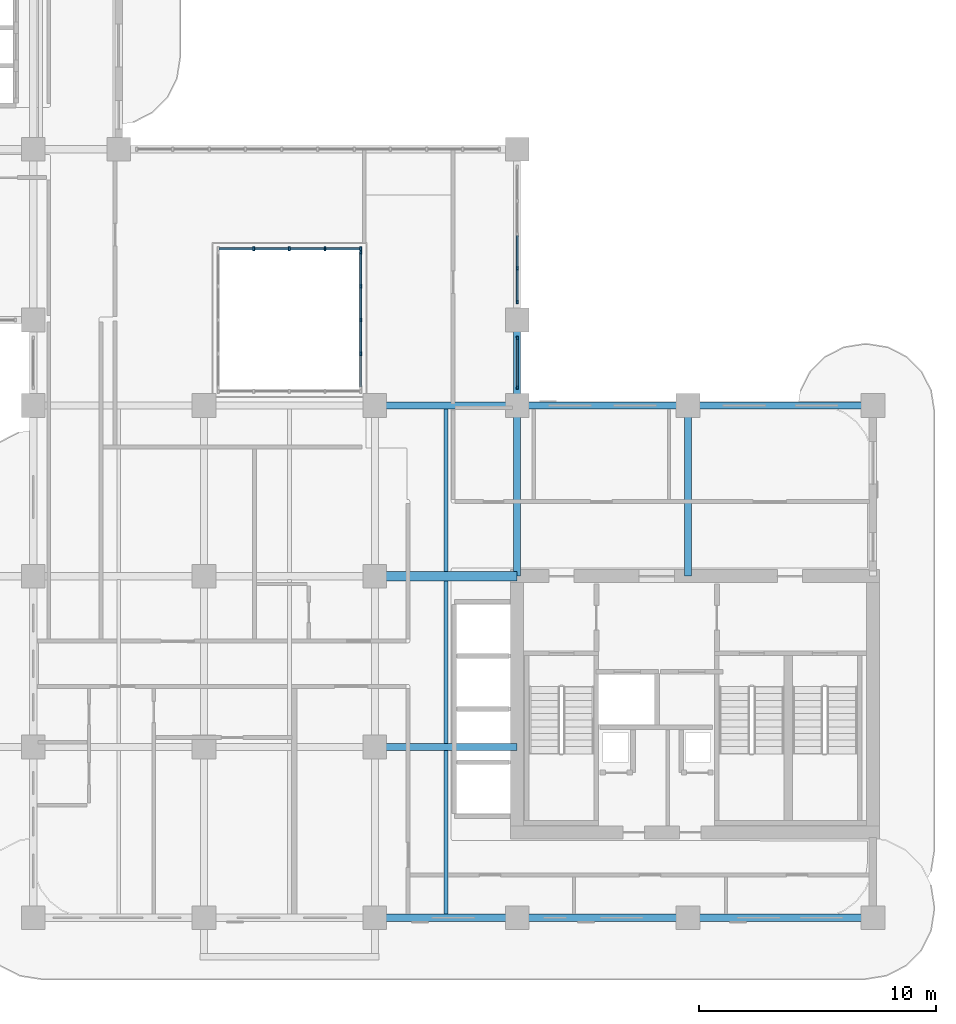
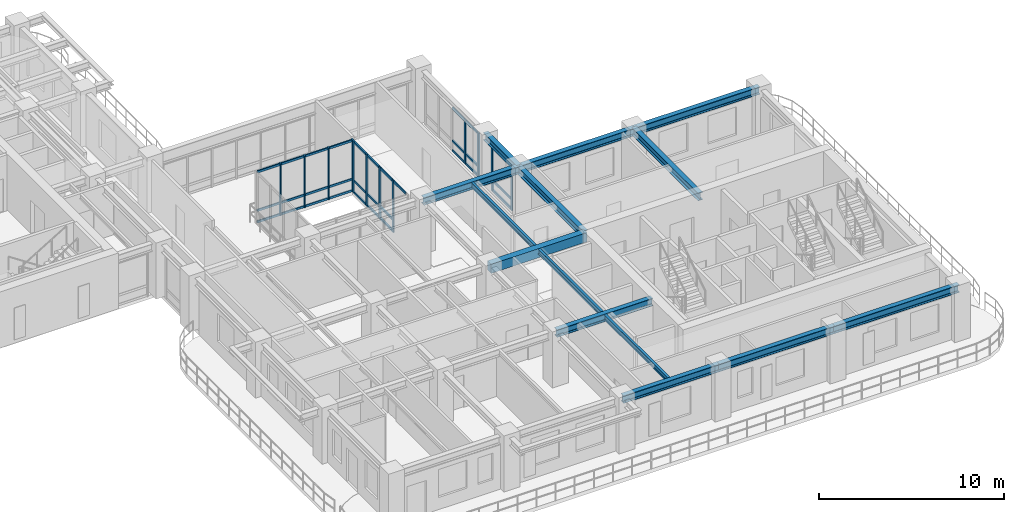
# One storey, part 3 of 20: 43 members, 14 beams, 4 elements without a shape of their own.
"""IFC4 building model written with IfcOpenShell, lengths in metres."""

from ifc_helpers import new_model, si_unit, derived_unit, direction, frame, origin, origin_2d, place, context, subcontext, project, spatial, rectangle, i_section, extrude, source, transform, mapped, material, layer, layer_set, material_profile, profile_set, type_object, type_shapes, element, aggregate, save


model = new_model("IFC4")

# Units and contexts
model_context = context("Model", 3, precision=1e-05, world=origin(), true_north=direction((0.0, 1.0)))
body_context = subcontext(model_context, "Body", "Model", "MODEL_VIEW")
ifc_project = project(units=[si_unit("LENGTHUNIT", "METRE"), si_unit("AREAUNIT", "SQUARE_METRE"), si_unit("VOLUMEUNIT", "CUBIC_METRE"), si_unit("PLANEANGLEUNIT", "RADIAN"), si_unit("MASSUNIT", "GRAM", prefix="KILO"), si_unit("THERMODYNAMICTEMPERATUREUNIT", "KELVIN"), si_unit("POWERUNIT", "WATT"), derived_unit("THERMALTRANSMITTANCEUNIT", [(si_unit("POWERUNIT", "WATT"), 1), (si_unit("AREAUNIT", "SQUARE_METRE"), -1), (si_unit("THERMODYNAMICTEMPERATUREUNIT", "KELVIN"), -1)])], contexts=[model_context])

# Site, building, storey
site_placement = place(None, origin())
site = spatial("IfcSite", under=ifc_project, at=site_placement, CompositionType="ELEMENT")
building_placement = place(site_placement, origin())
building = spatial("IfcBuilding", under=site, at=building_placement, Name="Zahravan Archway Hotel and Residences", CompositionType="ELEMENT")
storey_placement = place(building_placement, frame((0.0, 0.0, 115.5)))
storey = spatial("IfcBuildingStorey", under=building, at=storey_placement, Name="L28", CompositionType="ELEMENT", Elevation=115.5)

# Beams
ifc_material_1 = material(Name="Concrete C60/75", Category="concrete")
ifc_material_profile_1 = material_profile(ifc_material_1, rectangle(XDim=0.39990234375, YDim=0.60009765625, at=origin_2d()), Name="RC-LNT-400x600", Category="concrete")
ifc_profile_set_1 = profile_set([ifc_material_profile_1], Name="Concrete C60/75")
beam_type_1 = type_object("IfcBeamType", Name="LNT-RC-400x600", PredefinedType="LINTEL", material=ifc_profile_set_1)
shared_shape_1 = source(origin(), body_context, "Body", "SweptSolid", [
    extrude(rectangle(XDim=0.39990234375, YDim=0.60009765625, at=origin_2d()), origin(), (0.0, 0.0, 1.0), 6.0),
])
type_shapes(beam_type_1, [shared_shape_1])
beam_1_placement = place(storey_placement, frame((28.800048828125, 14.39990234375, 3.14990234375), z_axis=(1.0, 0.0, 0.0), x_axis=(0.0, 1.0, 0.0)))
element("IfcBeam", 1, at=beam_1_placement, inside=storey, type_object=beam_type_1, Name="L28 Core A Coupling Lintel Beam", PredefinedType="LINTEL", context=body_context, shape_type="MappedRepresentation", body=[
    mapped(shared_shape_1, transform((0.0, 0.0, 0.0), scale=1.0)),
])
ifc_material_2 = material(Name="Structural Steel S355JR", Category="steel")
ifc_material_profile_2 = material_profile(ifc_material_2, i_section(OverallWidth=0.300048828125, OverallDepth=0.5, WebThickness=0.014404296875, FlangeThickness=0.028076171875, FilletRadius=0.027099609375, at=origin_2d()), Name="HEB 500", Category="steel")
ifc_profile_set_2 = profile_set([ifc_material_profile_2], Name="Structural Steel S355JR")
beam_type_2 = type_object("IfcBeamType", Name="BM-PRI-HEB500", PredefinedType="BEAM", material=ifc_profile_set_2)
shared_shape_2 = source(origin(), body_context, "Body", "SweptSolid", [
    extrude(i_section(OverallWidth=0.300048828125, OverallDepth=0.5, WebThickness=0.014404296875, FlangeThickness=0.028076171875, FilletRadius=0.027099609375, at=origin_2d()), origin(), (0.0, 0.0, 1.0), 7.2001953125),
])
type_shapes(beam_type_2, [shared_shape_2])
for number, where, z_axis, x_axis, name in (
    (2, (34.800048828125, 14.39990234375, 3.199951171875), (0.0, 1.0, 0.0), (-1.0, 0.0, 0.0), "L28 Primary Girder NS-41"),
    (3, (42.0, 14.39990234375, 3.199951171875), (0.0, 1.0, 0.0), (-1.0, 0.0, 0.0), "L28 Primary Girder NS-44"),
):
    element("IfcBeam", number, at=place(storey_placement, frame(where, z_axis=z_axis, x_axis=x_axis)), inside=storey, type_object=beam_type_2, Name=name, PredefinedType="BEAM", context=body_context, shape_type="MappedRepresentation", body=[
        mapped(shared_shape_2, transform((0.0, 0.0, 0.0), scale=1.0)),
    ])
shared_shape_3 = source(origin(), body_context, "Body", "SweptSolid", [
    extrude(i_section(OverallWidth=0.300048828125, OverallDepth=0.5, WebThickness=0.014404296875, FlangeThickness=0.028076171875, FilletRadius=0.027099609375, at=origin_2d()), origin(), (0.0, 0.0, 1.0), 7.199951171875),
])
for number, where, z_axis, x_axis, name in (
    (4, (34.800048828125, 0.0, 3.199951171875), (1.0, 0.0, 0.0), (0.0, 1.0, 0.0), "L28 Primary Girder EW-04"),
    (5, (34.800048828125, 21.60009765625, 3.199951171875), (1.0, 0.0, 0.0), (0.0, 1.0, 0.0), "L28 Primary Girder EW-14"),
):
    element("IfcBeam", number, at=place(storey_placement, frame(where, z_axis=z_axis, x_axis=x_axis)), inside=storey, type_object=beam_type_2, Name=name, PredefinedType="BEAM", context=body_context, shape_type="MappedRepresentation", body=[
        mapped(shared_shape_3, transform((0.0, 0.0, 0.0), scale=1.0)),
    ])
shared_shape_4 = source(origin(), body_context, "Body", "SweptSolid", [
    extrude(i_section(OverallWidth=0.300048828125, OverallDepth=0.5, WebThickness=0.014404296875, FlangeThickness=0.028076171875, FilletRadius=0.027099609375, at=origin_2d()), origin(), (0.0, 0.0, 1.0), 6.0),
])
for number, where, z_axis, x_axis, name in (
    (6, (28.800048828125, 0.0, 3.199951171875), (1.0, 0.0, 0.0), (0.0, 1.0, 0.0), "L28 Primary Girder EW-03"),
    (7, (28.800048828125, 7.199951171875, 3.199951171875), (1.0, 0.0, 0.0), (0.0, 1.0, 0.0), "L28 Primary Girder EW-08"),
    (8, (28.800048828125, 21.60009765625, 3.199951171875), (1.0, 0.0, 0.0), (0.0, 1.0, 0.0), "L28 Primary Girder EW-13"),
):
    element("IfcBeam", number, at=place(storey_placement, frame(where, z_axis=z_axis, x_axis=x_axis)), inside=storey, type_object=beam_type_2, Name=name, PredefinedType="BEAM", context=body_context, shape_type="MappedRepresentation", body=[
        mapped(shared_shape_4, transform((0.0, 0.0, 0.0), scale=1.0)),
    ])
shared_shape_5 = source(origin(), body_context, "Body", "SweptSolid", [
    extrude(i_section(OverallWidth=0.300048828125, OverallDepth=0.5, WebThickness=0.014404296875, FlangeThickness=0.028076171875, FilletRadius=0.027099609375, at=origin_2d()), origin(), (0.0, 0.0, 1.0), 7.800048828125),
])
for number, where, z_axis, x_axis, name in (
    (9, (42.0, 0.0, 3.199951171875), (1.0, 0.0, 0.0), (0.0, 1.0, 0.0), "L28 Primary Girder EW-05"),
    (10, (42.0, 21.60009765625, 3.199951171875), (1.0, 0.0, 0.0), (0.0, 1.0, 0.0), "L28 Primary Girder EW-15"),
):
    element("IfcBeam", number, at=place(storey_placement, frame(where, z_axis=z_axis, x_axis=x_axis)), inside=storey, type_object=beam_type_2, Name=name, PredefinedType="BEAM", context=body_context, shape_type="MappedRepresentation", body=[
        mapped(shared_shape_5, transform((0.0, 0.0, 0.0), scale=1.0)),
    ])
shared_shape_6 = source(origin(), body_context, "Body", "SweptSolid", [
    extrude(i_section(OverallWidth=0.300048828125, OverallDepth=0.5, WebThickness=0.014404296875, FlangeThickness=0.028076171875, FilletRadius=0.027099609375, at=origin_2d()), origin(), (0.0, 0.0, 1.0), 3.599853515625),
])
beam_2_placement = place(storey_placement, frame((34.800048828125, 21.60009765625, 3.199951171875), z_axis=(0.0, 1.0, 0.0), x_axis=(-1.0, 0.0, 0.0)))
element("IfcBeam", 11, at=beam_2_placement, inside=storey, type_object=beam_type_2, Name="L28 Primary Girder NS-42", PredefinedType="BEAM", context=body_context, shape_type="MappedRepresentation", body=[
    mapped(shared_shape_6, transform((0.0, 0.0, 0.0), scale=1.0)),
])
ifc_material_profile_3 = material_profile(ifc_material_2, i_section(OverallWidth=0.159912109375, OverallDepth=0.330078125, WebThickness=0.007568359375, FlangeThickness=0.011474609375, FilletRadius=0.01806640625, at=origin_2d()), Name="IPE 330", Category="steel")
ifc_profile_set_3 = profile_set([ifc_material_profile_3], Name="Structural Steel S355JR")
beam_type_3 = type_object("IfcBeamType", Name="BM-JST-IPE330", PredefinedType="JOIST", material=ifc_profile_set_3)
shared_shape_7 = source(origin(), body_context, "Body", "SweptSolid", [
    extrude(i_section(OverallWidth=0.159912109375, OverallDepth=0.330078125, WebThickness=0.007568359375, FlangeThickness=0.011474609375, FilletRadius=0.01806640625, at=origin_2d()), origin(), (0.0, 0.0, 1.0), 6.904052734375),
])
type_shapes(beam_type_3, [shared_shape_7])
beam_3_placement = place(storey_placement, frame((31.800048828125, 0.14794921875, 3.284912109375), z_axis=(0.0, 1.0, 0.0), x_axis=(-1.0, 0.0, 0.0)))
element("IfcBeam", 12, at=beam_3_placement, inside=storey, type_object=beam_type_3, Name="L28 Composite Floor Joist 03", PredefinedType="JOIST", context=body_context, shape_type="MappedRepresentation", body=[
    mapped(shared_shape_7, transform((0.0, 0.0, 0.0), scale=1.0)),
])
shared_shape_8 = source(origin(), body_context, "Body", "SweptSolid", [
    extrude(i_section(OverallWidth=0.159912109375, OverallDepth=0.330078125, WebThickness=0.007568359375, FlangeThickness=0.011474609375, FilletRadius=0.01806640625, at=origin_2d()), origin(), (0.0, 0.0, 1.0), 6.85400390625),
])
for number, where, z_axis, x_axis, name in (
    (13, (31.800048828125, 7.347900390625, 3.284912109375), (0.0, 1.0, 0.0), (-1.0, 0.0, 0.0), "L28 Composite Floor Joist 06"),
    (14, (31.800048828125, 14.597900390625, 3.284912109375), (0.0, 1.0, 0.0), (-1.0, 0.0, 0.0), "L28 Composite Floor Joist 07"),
):
    element("IfcBeam", number, at=place(storey_placement, frame(where, z_axis=z_axis, x_axis=x_axis)), inside=storey, type_object=beam_type_3, Name=name, PredefinedType="JOIST", context=body_context, shape_type="MappedRepresentation", body=[
        mapped(shared_shape_8, transform((0.0, 0.0, 0.0), scale=1.0)),
    ])

# Curtain wall, members
ifc_material_3 = material(Name="Bronze-Anodized Unitised Aluminium & Low-E Glass", Category="aluminium")
ifc_layer = layer(ifc_material_3, 0.179931640625, Name="Bronze-Anodized Unitised Aluminium & Low-E Glass", Category="aluminium")
ifc_layer_set = layer_set([ifc_layer], Name="Bronze-Anodized Unitised Aluminium & Low-E Glass")
curtain_wall_type = type_object("IfcCurtainWallType", Name="CW-ATR-GLAZ", PredefinedType="NOTDEFINED", material=ifc_layer_set)
curtain_wall_1_placement = place(storey_placement, origin())
curtain_wall_1 = element("IfcCurtainWall", 15, at=curtain_wall_1_placement, inside=storey, type_object=curtain_wall_type, Name="L28 Curtain Wall CW-L28-HNG-E-2", PredefinedType="NOTDEFINED")
ifc_material_4 = material(Name="Bronze-Anodized Extruded Aluminium", Category="aluminium")
ifc_material_profile_4 = material_profile(ifc_material_4, rectangle(XDim=0.080078125, YDim=0.139892578125, at=origin_2d()), Name="TRN 80x140", Category="aluminium")
ifc_profile_set_4 = profile_set([ifc_material_profile_4], Name="Bronze-Anodized Extruded Aluminium")
member_type_1 = type_object("IfcMemberType", Name="CWM-TRN-140", PredefinedType="USERDEFINED", material=ifc_profile_set_4)
shared_shape_9 = source(origin(), body_context, "Body", "SweptSolid", [
    extrude(rectangle(XDim=0.080078125, YDim=0.139892578125, at=origin_2d()), origin(), (0.0, 0.0, 1.0), 1.340087890625),
])
member_1_placement = place(storey_placement, frame((34.800048828125, 26.0, 0.070068359375), z_axis=(0.0, 1.0, 0.0), x_axis=(-1.0, 0.0, 0.0)))
member_1 = element("IfcMember", 16, at=member_1_placement, type_object=member_type_1, Name="CW-L28-HNG-E-2 Transom 0-1", ObjectType="TRANSOM", PredefinedType="USERDEFINED", context=body_context, shape_type="MappedRepresentation", body=[
    mapped(shared_shape_9, transform((0.0, 0.0, 0.0), scale=1.0)),
])
member_2_placement = place(storey_placement, frame((34.800048828125, 26.0, 0.704345703125), z_axis=(0.0, 1.0, 0.0), x_axis=(-1.0, 0.0, 0.0)))
member_2 = element("IfcMember", 17, at=member_2_placement, type_object=member_type_1, Name="CW-L28-HNG-E-2 Transom 0-2", ObjectType="TRANSOM", PredefinedType="USERDEFINED", context=body_context, shape_type="MappedRepresentation", body=[
    mapped(shared_shape_9, transform((0.0, 0.0, 0.0), scale=1.0)),
])
member_3_placement = place(storey_placement, frame((34.800048828125, 26.0, 2.864990234375), z_axis=(0.0, 1.0, 0.0), x_axis=(-1.0, 0.0, 0.0)))
member_3 = element("IfcMember", 18, at=member_3_placement, type_object=member_type_1, Name="CW-L28-HNG-E-2 Transom 0-3", ObjectType="TRANSOM", PredefinedType="USERDEFINED", context=body_context, shape_type="MappedRepresentation", body=[
    mapped(shared_shape_9, transform((0.0, 0.0, 0.0), scale=1.0)),
])
member_4_placement = place(storey_placement, frame((34.800048828125, 27.419921875, 0.070068359375), z_axis=(0.0, 1.0, 0.0), x_axis=(-1.0, 0.0, 0.0)))
member_4 = element("IfcMember", 19, at=member_4_placement, type_object=member_type_1, Name="CW-L28-HNG-E-2 Transom 1-1", ObjectType="TRANSOM", PredefinedType="USERDEFINED", context=body_context, shape_type="MappedRepresentation", body=[
    mapped(shared_shape_9, transform((0.0, 0.0, 0.0), scale=1.0)),
])
member_5_placement = place(storey_placement, frame((34.800048828125, 27.419921875, 0.704345703125), z_axis=(0.0, 1.0, 0.0), x_axis=(-1.0, 0.0, 0.0)))
member_5 = element("IfcMember", 20, at=member_5_placement, type_object=member_type_1, Name="CW-L28-HNG-E-2 Transom 1-2", ObjectType="TRANSOM", PredefinedType="USERDEFINED", context=body_context, shape_type="MappedRepresentation", body=[
    mapped(shared_shape_9, transform((0.0, 0.0, 0.0), scale=1.0)),
])
member_6_placement = place(storey_placement, frame((34.800048828125, 27.419921875, 2.864990234375), z_axis=(0.0, 1.0, 0.0), x_axis=(-1.0, 0.0, 0.0)))
member_6 = element("IfcMember", 21, at=member_6_placement, type_object=member_type_1, Name="CW-L28-HNG-E-2 Transom 1-3", ObjectType="TRANSOM", PredefinedType="USERDEFINED", context=body_context, shape_type="MappedRepresentation", body=[
    mapped(shared_shape_9, transform((0.0, 0.0, 0.0), scale=1.0)),
])

curtain_wall_2_placement = place(storey_placement, origin())
curtain_wall_2 = element("IfcCurtainWall", 22, at=curtain_wall_2_placement, inside=storey, type_object=curtain_wall_type, Name="L28 Curtain Wall CW-L28-HNG-E-1", PredefinedType="NOTDEFINED")
shared_shape_10 = source(origin(), body_context, "Body", "SweptSolid", [
    extrude(rectangle(XDim=0.080078125, YDim=0.139892578125, at=origin_2d()), origin(), (0.0, 0.0, 1.0), 2.0),
])
member_7_placement = place(storey_placement, frame((34.800048828125, 22.39990234375, 0.070068359375), z_axis=(0.0, 1.0, 0.0), x_axis=(-1.0, 0.0, 0.0)))
member_7 = element("IfcMember", 23, at=member_7_placement, type_object=member_type_1, Name="CW-L28-HNG-E-1 Transom 0-1", ObjectType="TRANSOM", PredefinedType="USERDEFINED", context=body_context, shape_type="MappedRepresentation", body=[
    mapped(shared_shape_10, transform((0.0, 0.0, 0.0), scale=1.0)),
])
member_8_placement = place(storey_placement, frame((34.800048828125, 22.39990234375, 0.704345703125), z_axis=(0.0, 1.0, 0.0), x_axis=(-1.0, 0.0, 0.0)))
member_8 = element("IfcMember", 24, at=member_8_placement, type_object=member_type_1, Name="CW-L28-HNG-E-1 Transom 0-2", ObjectType="TRANSOM", PredefinedType="USERDEFINED", context=body_context, shape_type="MappedRepresentation", body=[
    mapped(shared_shape_10, transform((0.0, 0.0, 0.0), scale=1.0)),
])
member_9_placement = place(storey_placement, frame((34.800048828125, 22.39990234375, 2.864990234375), z_axis=(0.0, 1.0, 0.0), x_axis=(-1.0, 0.0, 0.0)))
member_9 = element("IfcMember", 25, at=member_9_placement, type_object=member_type_1, Name="CW-L28-HNG-E-1 Transom 0-3", ObjectType="TRANSOM", PredefinedType="USERDEFINED", context=body_context, shape_type="MappedRepresentation", body=[
    mapped(shared_shape_10, transform((0.0, 0.0, 0.0), scale=1.0)),
])

curtain_wall_3_placement = place(storey_placement, origin())
curtain_wall_3 = element("IfcCurtainWall", 26, at=curtain_wall_3_placement, inside=storey, type_object=curtain_wall_type, Name="L28 Curtain Wall CW-ATR-L28-N-1", PredefinedType="NOTDEFINED")
ifc_material_profile_5 = material_profile(ifc_material_4, rectangle(XDim=0.080078125, YDim=0.159912109375, at=origin_2d()), Name="MUL 80x160", Category="aluminium")
ifc_profile_set_5 = profile_set([ifc_material_profile_5], Name="Bronze-Anodized Extruded Aluminium")
member_type_2 = type_object("IfcMemberType", Name="CWM-MUL-160", PredefinedType="MULLION", material=ifc_profile_set_5)
shared_shape_11 = source(origin(), body_context, "Body", "SweptSolid", [
    extrude(rectangle(XDim=0.080078125, YDim=0.159912109375, at=origin_2d()), origin(), (0.0, 0.0, 1.0), 3.449951171875),
])
member_10_placement = place(storey_placement, frame((23.699951171875, 28.199951171875, 0.0), z_axis=(0.0, 0.0, 1.0), x_axis=(1.0, 0.0, 0.0)))
member_10 = element("IfcMember", 27, at=member_10_placement, type_object=member_type_2, Name="CW-ATR-L28-N-1 Mullion 1", PredefinedType="MULLION", context=body_context, shape_type="MappedRepresentation", body=[
    mapped(shared_shape_11, transform((0.0, 0.0, 0.0), scale=1.0)),
])
member_11_placement = place(storey_placement, frame((25.199951171875, 28.199951171875, 0.0), z_axis=(0.0, 0.0, 1.0), x_axis=(1.0, 0.0, 0.0)))
member_11 = element("IfcMember", 28, at=member_11_placement, type_object=member_type_2, Name="CW-ATR-L28-N-1 Mullion 2", PredefinedType="MULLION", context=body_context, shape_type="MappedRepresentation", body=[
    mapped(shared_shape_11, transform((0.0, 0.0, 0.0), scale=1.0)),
])
member_12_placement = place(storey_placement, frame((26.699951171875, 28.199951171875, 0.0), z_axis=(0.0, 0.0, 1.0), x_axis=(1.0, 0.0, 0.0)))
member_12 = element("IfcMember", 29, at=member_12_placement, type_object=member_type_2, Name="CW-ATR-L28-N-1 Mullion 3", PredefinedType="MULLION", context=body_context, shape_type="MappedRepresentation", body=[
    mapped(shared_shape_11, transform((0.0, 0.0, 0.0), scale=1.0)),
])
member_13_placement = place(storey_placement, frame((28.199951171875, 28.199951171875, 0.0), z_axis=(0.0, 0.0, 1.0), x_axis=(1.0, 0.0, 0.0)))
member_13 = element("IfcMember", 30, at=member_13_placement, type_object=member_type_2, Name="CW-ATR-L28-N-1 Mullion 4", PredefinedType="MULLION", context=body_context, shape_type="MappedRepresentation", body=[
    mapped(shared_shape_11, transform((0.0, 0.0, 0.0), scale=1.0)),
])

curtain_wall_4_placement = place(storey_placement, origin())
curtain_wall_4 = element("IfcCurtainWall", 31, at=curtain_wall_4_placement, inside=storey, type_object=curtain_wall_type, Name="L28 Curtain Wall CW-ATR-L28-E-1", PredefinedType="NOTDEFINED")
member_14_placement = place(storey_placement, frame((28.199951171875, 23.77490234375, 0.0), z_axis=(0.0, 0.0, 1.0), x_axis=(1.0, 0.0, 0.0)))
member_14 = element("IfcMember", 32, at=member_14_placement, type_object=member_type_2, Name="CW-ATR-L28-E-1 Mullion 1", PredefinedType="MULLION", context=body_context, shape_type="MappedRepresentation", body=[
    mapped(shared_shape_11, transform((0.0, 0.0, 0.0), scale=1.0)),
])
member_15_placement = place(storey_placement, frame((28.199951171875, 25.199951171875, 0.0), z_axis=(0.0, 0.0, 1.0), x_axis=(1.0, 0.0, 0.0)))
member_15 = element("IfcMember", 33, at=member_15_placement, type_object=member_type_2, Name="CW-ATR-L28-E-1 Mullion 2", PredefinedType="MULLION", context=body_context, shape_type="MappedRepresentation", body=[
    mapped(shared_shape_11, transform((0.0, 0.0, 0.0), scale=1.0)),
])
member_16_placement = place(storey_placement, frame((28.199951171875, 26.625, 0.0), z_axis=(0.0, 0.0, 1.0), x_axis=(1.0, 0.0, 0.0)))
member_16 = element("IfcMember", 34, at=member_16_placement, type_object=member_type_2, Name="CW-ATR-L28-E-1 Mullion 3", PredefinedType="MULLION", context=body_context, shape_type="MappedRepresentation", body=[
    mapped(shared_shape_11, transform((0.0, 0.0, 0.0), scale=1.0)),
])
member_17_placement = place(storey_placement, frame((28.199951171875, 28.050048828125, 0.0), z_axis=(0.0, 0.0, 1.0), x_axis=(1.0, 0.0, 0.0)))
member_17 = element("IfcMember", 35, at=member_17_placement, type_object=member_type_2, Name="CW-ATR-L28-E-1 Mullion 4", PredefinedType="MULLION", context=body_context, shape_type="MappedRepresentation", body=[
    mapped(shared_shape_11, transform((0.0, 0.0, 0.0), scale=1.0)),
])

# Member
shared_shape_12 = source(origin(), body_context, "Body", "SweptSolid", [
    extrude(rectangle(XDim=0.080078125, YDim=0.139892578125, at=origin_2d()), origin(), (0.0, 0.0, 1.0), 1.419921875),
])
member_18_placement = place(storey_placement, frame((22.239990234375, 28.199951171875, 0.070068359375), z_axis=(1.0, 0.0, 0.0), x_axis=(0.0, 1.0, 0.0)))
member_18 = element("IfcMember", 36, at=member_18_placement, type_object=member_type_1, Name="CW-ATR-L28-N-1 Transom 0-1", ObjectType="TRANSOM", PredefinedType="USERDEFINED", context=body_context, shape_type="MappedRepresentation", body=[
    mapped(shared_shape_12, transform((0.0, 0.0, 0.0), scale=1.0)),
])

member_19_placement = place(storey_placement, frame((22.239990234375, 28.199951171875, 0.827880859375), z_axis=(1.0, 0.0, 0.0), x_axis=(0.0, 1.0, 0.0)))
member_19 = element("IfcMember", 37, at=member_19_placement, type_object=member_type_1, Name="CW-ATR-L28-N-1 Transom 0-2", ObjectType="TRANSOM", PredefinedType="USERDEFINED", context=body_context, shape_type="MappedRepresentation", body=[
    mapped(shared_shape_12, transform((0.0, 0.0, 0.0), scale=1.0)),
])

member_20_placement = place(storey_placement, frame((22.239990234375, 28.199951171875, 3.3798828125), z_axis=(1.0, 0.0, 0.0), x_axis=(0.0, 1.0, 0.0)))
member_20 = element("IfcMember", 38, at=member_20_placement, type_object=member_type_1, Name="CW-ATR-L28-N-1 Transom 0-3", ObjectType="TRANSOM", PredefinedType="USERDEFINED", context=body_context, shape_type="MappedRepresentation", body=[
    mapped(shared_shape_12, transform((0.0, 0.0, 0.0), scale=1.0)),
])

member_21_placement = place(storey_placement, frame((23.739990234375, 28.199951171875, 0.070068359375), z_axis=(1.0, 0.0, 0.0), x_axis=(0.0, 1.0, 0.0)))
member_21 = element("IfcMember", 39, at=member_21_placement, type_object=member_type_1, Name="CW-ATR-L28-N-1 Transom 1-1", ObjectType="TRANSOM", PredefinedType="USERDEFINED", context=body_context, shape_type="MappedRepresentation", body=[
    mapped(shared_shape_12, transform((0.0, 0.0, 0.0), scale=1.0)),
])

member_22_placement = place(storey_placement, frame((23.739990234375, 28.199951171875, 0.827880859375), z_axis=(1.0, 0.0, 0.0), x_axis=(0.0, 1.0, 0.0)))
member_22 = element("IfcMember", 40, at=member_22_placement, type_object=member_type_1, Name="CW-ATR-L28-N-1 Transom 1-2", ObjectType="TRANSOM", PredefinedType="USERDEFINED", context=body_context, shape_type="MappedRepresentation", body=[
    mapped(shared_shape_12, transform((0.0, 0.0, 0.0), scale=1.0)),
])

member_23_placement = place(storey_placement, frame((23.739990234375, 28.199951171875, 3.3798828125), z_axis=(1.0, 0.0, 0.0), x_axis=(0.0, 1.0, 0.0)))
member_23 = element("IfcMember", 41, at=member_23_placement, type_object=member_type_1, Name="CW-ATR-L28-N-1 Transom 1-3", ObjectType="TRANSOM", PredefinedType="USERDEFINED", context=body_context, shape_type="MappedRepresentation", body=[
    mapped(shared_shape_12, transform((0.0, 0.0, 0.0), scale=1.0)),
])

member_24_placement = place(storey_placement, frame((25.239990234375, 28.199951171875, 0.070068359375), z_axis=(1.0, 0.0, 0.0), x_axis=(0.0, 1.0, 0.0)))
member_24 = element("IfcMember", 42, at=member_24_placement, type_object=member_type_1, Name="CW-ATR-L28-N-1 Transom 2-1", ObjectType="TRANSOM", PredefinedType="USERDEFINED", context=body_context, shape_type="MappedRepresentation", body=[
    mapped(shared_shape_12, transform((0.0, 0.0, 0.0), scale=1.0)),
])

member_25_placement = place(storey_placement, frame((25.239990234375, 28.199951171875, 0.827880859375), z_axis=(1.0, 0.0, 0.0), x_axis=(0.0, 1.0, 0.0)))
member_25 = element("IfcMember", 43, at=member_25_placement, type_object=member_type_1, Name="CW-ATR-L28-N-1 Transom 2-2", ObjectType="TRANSOM", PredefinedType="USERDEFINED", context=body_context, shape_type="MappedRepresentation", body=[
    mapped(shared_shape_12, transform((0.0, 0.0, 0.0), scale=1.0)),
])

member_26_placement = place(storey_placement, frame((25.239990234375, 28.199951171875, 3.3798828125), z_axis=(1.0, 0.0, 0.0), x_axis=(0.0, 1.0, 0.0)))
member_26 = element("IfcMember", 44, at=member_26_placement, type_object=member_type_1, Name="CW-ATR-L28-N-1 Transom 2-3", ObjectType="TRANSOM", PredefinedType="USERDEFINED", context=body_context, shape_type="MappedRepresentation", body=[
    mapped(shared_shape_12, transform((0.0, 0.0, 0.0), scale=1.0)),
])

member_27_placement = place(storey_placement, frame((26.739990234375, 28.199951171875, 0.070068359375), z_axis=(1.0, 0.0, 0.0), x_axis=(0.0, 1.0, 0.0)))
member_27 = element("IfcMember", 45, at=member_27_placement, type_object=member_type_1, Name="CW-ATR-L28-N-1 Transom 3-1", ObjectType="TRANSOM", PredefinedType="USERDEFINED", context=body_context, shape_type="MappedRepresentation", body=[
    mapped(shared_shape_12, transform((0.0, 0.0, 0.0), scale=1.0)),
])

member_28_placement = place(storey_placement, frame((26.739990234375, 28.199951171875, 0.827880859375), z_axis=(1.0, 0.0, 0.0), x_axis=(0.0, 1.0, 0.0)))
member_28 = element("IfcMember", 46, at=member_28_placement, type_object=member_type_1, Name="CW-ATR-L28-N-1 Transom 3-2", ObjectType="TRANSOM", PredefinedType="USERDEFINED", context=body_context, shape_type="MappedRepresentation", body=[
    mapped(shared_shape_12, transform((0.0, 0.0, 0.0), scale=1.0)),
])

member_29_placement = place(storey_placement, frame((26.739990234375, 28.199951171875, 3.3798828125), z_axis=(1.0, 0.0, 0.0), x_axis=(0.0, 1.0, 0.0)))
member_29 = element("IfcMember", 47, at=member_29_placement, type_object=member_type_1, Name="CW-ATR-L28-N-1 Transom 3-3", ObjectType="TRANSOM", PredefinedType="USERDEFINED", context=body_context, shape_type="MappedRepresentation", body=[
    mapped(shared_shape_12, transform((0.0, 0.0, 0.0), scale=1.0)),
])

aggregate(curtain_wall_3, [member_10, member_11, member_12, member_13, member_18, member_19, member_20, member_21, member_22, member_23, member_24, member_25, member_26, member_27, member_28, member_29])

shared_shape_13 = source(origin(), body_context, "Body", "SweptSolid", [
    extrude(rectangle(XDim=0.080078125, YDim=0.139892578125, at=origin_2d()), origin(), (0.0, 0.0, 1.0), 1.34521484375),
])
member_30_placement = place(storey_placement, frame((28.199951171875, 22.389892578125, 3.3798828125), z_axis=(0.0, 1.0, 0.0), x_axis=(-1.0, 0.0, 0.0)))
member_30 = element("IfcMember", 48, at=member_30_placement, type_object=member_type_1, Name="CW-ATR-L28-E-1 Transom 0-3", ObjectType="TRANSOM", PredefinedType="USERDEFINED", context=body_context, shape_type="MappedRepresentation", body=[
    mapped(shared_shape_13, transform((0.0, 0.0, 0.0), scale=1.0)),
])

shared_shape_14 = source(origin(), body_context, "Body", "SweptSolid", [
    extrude(rectangle(XDim=0.080078125, YDim=0.139892578125, at=origin_2d()), origin(), (0.0, 0.0, 1.0), 1.344970703125),
])
member_31_placement = place(storey_placement, frame((28.199951171875, 23.81494140625, 0.070068359375), z_axis=(0.0, 1.0, 0.0), x_axis=(-1.0, 0.0, 0.0)))
member_31 = element("IfcMember", 49, at=member_31_placement, type_object=member_type_1, Name="CW-ATR-L28-E-1 Transom 1-1", ObjectType="TRANSOM", PredefinedType="USERDEFINED", context=body_context, shape_type="MappedRepresentation", body=[
    mapped(shared_shape_14, transform((0.0, 0.0, 0.0), scale=1.0)),
])

member_32_placement = place(storey_placement, frame((28.199951171875, 23.81494140625, 0.827880859375), z_axis=(0.0, 1.0, 0.0), x_axis=(-1.0, 0.0, 0.0)))
member_32 = element("IfcMember", 50, at=member_32_placement, type_object=member_type_1, Name="CW-ATR-L28-E-1 Transom 1-2", ObjectType="TRANSOM", PredefinedType="USERDEFINED", context=body_context, shape_type="MappedRepresentation", body=[
    mapped(shared_shape_14, transform((0.0, 0.0, 0.0), scale=1.0)),
])

member_33_placement = place(storey_placement, frame((28.199951171875, 23.81494140625, 3.3798828125), z_axis=(0.0, 1.0, 0.0), x_axis=(-1.0, 0.0, 0.0)))
member_33 = element("IfcMember", 51, at=member_33_placement, type_object=member_type_1, Name="CW-ATR-L28-E-1 Transom 1-3", ObjectType="TRANSOM", PredefinedType="USERDEFINED", context=body_context, shape_type="MappedRepresentation", body=[
    mapped(shared_shape_14, transform((0.0, 0.0, 0.0), scale=1.0)),
])

member_34_placement = place(storey_placement, frame((28.199951171875, 25.239990234375, 0.070068359375), z_axis=(0.0, 1.0, 0.0), x_axis=(-1.0, 0.0, 0.0)))
member_34 = element("IfcMember", 52, at=member_34_placement, type_object=member_type_1, Name="CW-ATR-L28-E-1 Transom 2-1", ObjectType="TRANSOM", PredefinedType="USERDEFINED", context=body_context, shape_type="MappedRepresentation", body=[
    mapped(shared_shape_14, transform((0.0, 0.0, 0.0), scale=1.0)),
])

member_35_placement = place(storey_placement, frame((28.199951171875, 25.239990234375, 0.827880859375), z_axis=(0.0, 1.0, 0.0), x_axis=(-1.0, 0.0, 0.0)))
member_35 = element("IfcMember", 53, at=member_35_placement, type_object=member_type_1, Name="CW-ATR-L28-E-1 Transom 2-2", ObjectType="TRANSOM", PredefinedType="USERDEFINED", context=body_context, shape_type="MappedRepresentation", body=[
    mapped(shared_shape_14, transform((0.0, 0.0, 0.0), scale=1.0)),
])

member_36_placement = place(storey_placement, frame((28.199951171875, 25.239990234375, 3.3798828125), z_axis=(0.0, 1.0, 0.0), x_axis=(-1.0, 0.0, 0.0)))
member_36 = element("IfcMember", 54, at=member_36_placement, type_object=member_type_1, Name="CW-ATR-L28-E-1 Transom 2-3", ObjectType="TRANSOM", PredefinedType="USERDEFINED", context=body_context, shape_type="MappedRepresentation", body=[
    mapped(shared_shape_14, transform((0.0, 0.0, 0.0), scale=1.0)),
])

member_37_placement = place(storey_placement, frame((28.199951171875, 26.6650390625, 0.070068359375), z_axis=(0.0, 1.0, 0.0), x_axis=(-1.0, 0.0, 0.0)))
member_37 = element("IfcMember", 55, at=member_37_placement, type_object=member_type_1, Name="CW-ATR-L28-E-1 Transom 3-1", ObjectType="TRANSOM", PredefinedType="USERDEFINED", context=body_context, shape_type="MappedRepresentation", body=[
    mapped(shared_shape_14, transform((0.0, 0.0, 0.0), scale=1.0)),
])

member_38_placement = place(storey_placement, frame((28.199951171875, 26.6650390625, 0.827880859375), z_axis=(0.0, 1.0, 0.0), x_axis=(-1.0, 0.0, 0.0)))
member_38 = element("IfcMember", 56, at=member_38_placement, type_object=member_type_1, Name="CW-ATR-L28-E-1 Transom 3-2", ObjectType="TRANSOM", PredefinedType="USERDEFINED", context=body_context, shape_type="MappedRepresentation", body=[
    mapped(shared_shape_14, transform((0.0, 0.0, 0.0), scale=1.0)),
])

member_39_placement = place(storey_placement, frame((28.199951171875, 26.6650390625, 3.3798828125), z_axis=(0.0, 1.0, 0.0), x_axis=(-1.0, 0.0, 0.0)))
member_39 = element("IfcMember", 57, at=member_39_placement, type_object=member_type_1, Name="CW-ATR-L28-E-1 Transom 3-3", ObjectType="TRANSOM", PredefinedType="USERDEFINED", context=body_context, shape_type="MappedRepresentation", body=[
    mapped(shared_shape_14, transform((0.0, 0.0, 0.0), scale=1.0)),
])

aggregate(curtain_wall_4, [member_14, member_15, member_16, member_17, member_30, member_31, member_32, member_33, member_34, member_35, member_36, member_37, member_38, member_39])

shared_shape_15 = source(origin(), body_context, "Body", "SweptSolid", [
    extrude(rectangle(XDim=0.080078125, YDim=0.159912109375, at=origin_2d()), origin(), (0.0, 0.0, 1.0), 2.93505859375),
])
member_40_placement = place(storey_placement, frame((34.800048828125, 22.360107421875, 0.0), z_axis=(0.0, 0.0, 1.0), x_axis=(1.0, 0.0, 0.0)))
member_40 = element("IfcMember", 58, at=member_40_placement, type_object=member_type_2, Name="CW-L28-HNG-E-1 Mullion 0", PredefinedType="MULLION", context=body_context, shape_type="MappedRepresentation", body=[
    mapped(shared_shape_15, transform((0.0, 0.0, 0.0), scale=1.0)),
])

member_41_placement = place(storey_placement, frame((34.800048828125, 24.43994140625, 0.0), z_axis=(0.0, 0.0, 1.0), x_axis=(1.0, 0.0, 0.0)))
member_41 = element("IfcMember", 59, at=member_41_placement, type_object=member_type_2, Name="CW-L28-HNG-E-1 Mullion 1", PredefinedType="MULLION", context=body_context, shape_type="MappedRepresentation", body=[
    mapped(shared_shape_15, transform((0.0, 0.0, 0.0), scale=1.0)),
])

aggregate(curtain_wall_2, [member_40, member_41, member_7, member_8, member_9])

member_42_placement = place(storey_placement, frame((34.800048828125, 25.9599609375, 0.0), z_axis=(0.0, 0.0, 1.0), x_axis=(1.0, 0.0, 0.0)))
member_42 = element("IfcMember", 60, at=member_42_placement, type_object=member_type_2, Name="CW-L28-HNG-E-2 Mullion 0", PredefinedType="MULLION", context=body_context, shape_type="MappedRepresentation", body=[
    mapped(shared_shape_15, transform((0.0, 0.0, 0.0), scale=1.0)),
])

member_43_placement = place(storey_placement, frame((34.800048828125, 27.3798828125, 0.0), z_axis=(0.0, 0.0, 1.0), x_axis=(1.0, 0.0, 0.0)))
member_43 = element("IfcMember", 61, at=member_43_placement, type_object=member_type_2, Name="CW-L28-HNG-E-2 Mullion 1", PredefinedType="MULLION", context=body_context, shape_type="MappedRepresentation", body=[
    mapped(shared_shape_15, transform((0.0, 0.0, 0.0), scale=1.0)),
])

aggregate(curtain_wall_1, [member_42, member_43, member_1, member_2, member_3, member_4, member_5, member_6])

save(model, "model.ifc")
